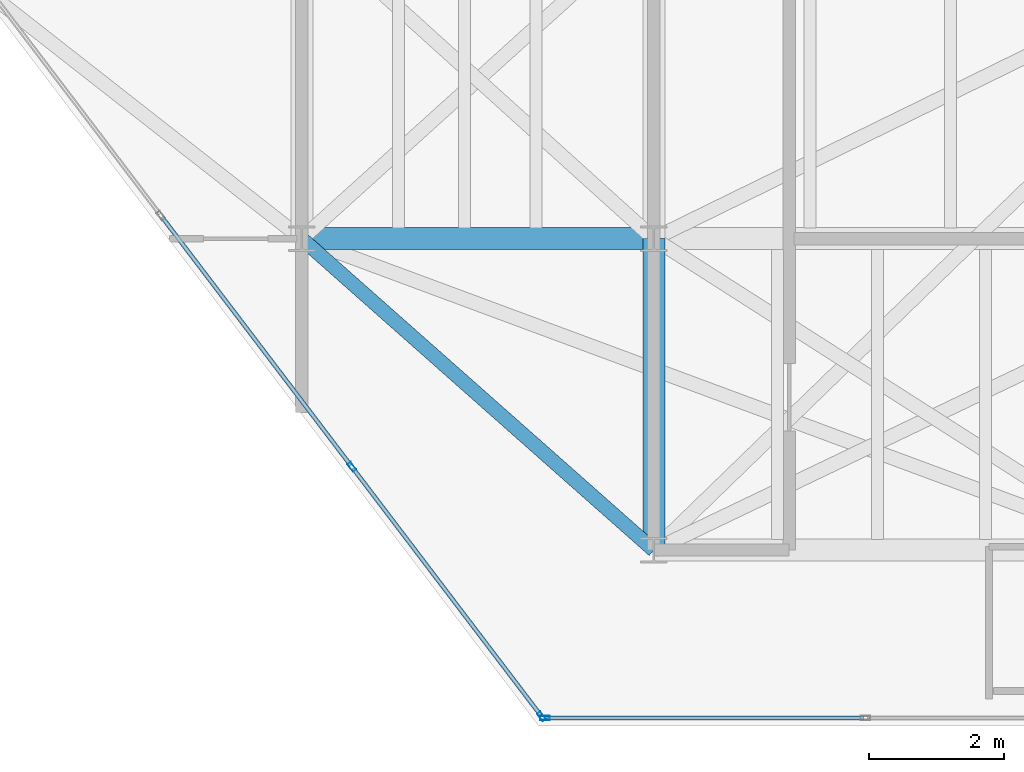
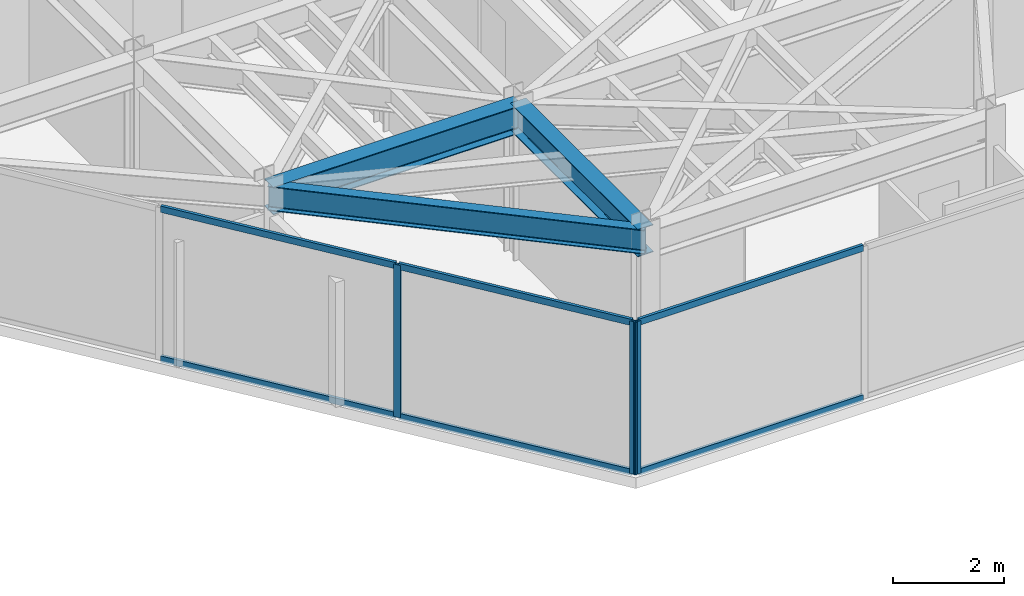
# One storey, part 7 of 16: 9 members, 3 beams, 2 elements without a shape of their own.
"""IFC4 building model written with IfcOpenShell, lengths in metres."""

from ifc_helpers import new_model, si_unit, direction, frame, origin, origin_2d, place, context, subcontext, project, spatial, hollow_rectangle, i_section, extrude, material, layer, layer_set, material_profile, profile_set, type_object, element, aggregate, save


model = new_model("IFC4")

# Units and contexts
model_context = context("Model", 3, precision=1e-05, world=origin(), true_north=direction((0.0, 1.0)))
body_context = subcontext(model_context, "Body", "Model", "MODEL_VIEW")
ifc_project = project(units=[si_unit("LENGTHUNIT", "METRE"), si_unit("AREAUNIT", "SQUARE_METRE"), si_unit("VOLUMEUNIT", "CUBIC_METRE"), si_unit("PLANEANGLEUNIT", "RADIAN"), si_unit("MASSUNIT", "GRAM", prefix="KILO")], contexts=[model_context])

# Site, building, storey
site_placement = place(None, origin())
site = spatial("IfcSite", under=ifc_project, at=site_placement, CompositionType="ELEMENT")
building_placement = place(site_placement, origin())
building = spatial("IfcBuilding", under=site, at=building_placement, Name="Kravanh Interchange Tower", CompositionType="ELEMENT")
storey_placement = place(building_placement, frame((0.0, 0.0, 300.300048828125)))
storey = spatial("IfcBuildingStorey", under=building, at=storey_placement, Name="L74", CompositionType="ELEMENT", Elevation=300.300048828125)

# Curtain wall, member
ifc_material_1 = material(Name="Anodised Bronze Aluminium", Category="aluminium")
ifc_layer = layer(ifc_material_1, 0.179931640625)
ifc_layer_set = layer_set([ifc_layer], Name="Unitised Curtain Wall System CW-HTL Luxury Hotel")
curtain_wall_type = type_object("IfcCurtainWallType", Name="Unitised Curtain Wall System CW-HTL Luxury Hotel", PredefinedType="NOTDEFINED", material=ifc_layer_set)
curtain_wall_1_placement = place(storey_placement, origin())
curtain_wall_1 = element("IfcCurtainWall", 1, at=curtain_wall_1_placement, inside=storey, type_object=curtain_wall_type, Name="L74 Unitised Curtain Wall CW-L74-03", PredefinedType="NOTDEFINED")
ifc_material_2 = material(Name="Anodised Bronze Aluminium", Category="aluminium")
ifc_material_profile_1 = material_profile(ifc_material_2, hollow_rectangle(XDim=0.06005859375, YDim=0.139892578125, WallThickness=0.00390625, at=origin_2d()), Name="ALU60X140X4")
ifc_profile_set_1 = profile_set([ifc_material_profile_1], Name="Anodised Bronze Aluminium")
member_type_1 = type_object("IfcMemberType", Name="Curtain Wall Mullion ALU60X140X4 Bronze", PredefinedType="MULLION", material=ifc_profile_set_1)
member_1_placement = place(storey_placement, frame((54.389404296875, 19.719970703125, 0.0), z_axis=(0.0, 0.0, 1.0), x_axis=(0.0, -1.0, 0.0)))
member_1 = element("IfcMember", 2, at=member_1_placement, type_object=member_type_1, Name="CW-HTL mullion 3", PredefinedType="MULLION", context=body_context, shape_type="SweptSolid", body=[
    extrude(hollow_rectangle(XDim=0.06005859375, YDim=0.139892578125, WallThickness=0.00390625, at=origin_2d()), origin(), (0.0, 0.0, 1.0), 3.364990234375),
])

# Curtain wall, members
curtain_wall_2_placement = place(storey_placement, origin())
curtain_wall_2 = element("IfcCurtainWall", 3, at=curtain_wall_2_placement, inside=storey, type_object=curtain_wall_type, Name="L74 Unitised Curtain Wall CW-L74-04", PredefinedType="NOTDEFINED")
member_2_placement = place(storey_placement, frame((54.34130859375, 19.743896484375, 0.0), z_axis=(0.0, 0.0, 1.0), x_axis=(-0.796161642797, -0.605083992962, 0.0)))
member_2 = element("IfcMember", 4, at=member_2_placement, type_object=member_type_1, Name="CW-HTL mullion 1", PredefinedType="MULLION", context=body_context, shape_type="SweptSolid", body=[
    extrude(hollow_rectangle(XDim=0.06005859375, YDim=0.139892578125, WallThickness=0.00390625, at=origin_2d()), origin(), (0.0, 0.0, 1.0), 3.364990234375),
])
member_3_placement = place(storey_placement, frame((51.53955078125, 23.430419921875, 0.0), z_axis=(0.0, 0.0, 1.0), x_axis=(-0.796161642797, -0.605083992962, 0.0)))
member_3 = element("IfcMember", 5, at=member_3_placement, type_object=member_type_1, Name="CW-HTL mullion 2", PredefinedType="MULLION", context=body_context, shape_type="SweptSolid", body=[
    extrude(hollow_rectangle(XDim=0.06005859375, YDim=0.139892578125, WallThickness=0.00390625, at=origin_2d()), origin(), (0.0, 0.0, 1.0), 3.364990234375),
])

# Member
ifc_material_3 = material(Name="Anodised Bronze Aluminium", Category="aluminium")
ifc_material_profile_2 = material_profile(ifc_material_3, hollow_rectangle(XDim=0.06005859375, YDim=0.139892578125, WallThickness=0.00390625, at=origin_2d()), Name="ALU60X140X4")
ifc_profile_set_2 = profile_set([ifc_material_profile_2], Name="Anodised Bronze Aluminium")
member_type_2 = type_object("IfcMemberType", Name="Curtain Wall Transom ALU60X140X4 Bronze", PredefinedType="USERDEFINED", material=ifc_profile_set_2)
member_4_placement = place(storey_placement, frame((59.096435546875, 19.719970703125, 0.030029296875), z_axis=(-1.0, 0.0, 0.0), x_axis=(0.0, -1.0, 0.0)))
member_4 = element("IfcMember", 6, at=member_4_placement, type_object=member_type_2, Name="CW-HTL transom 2.1", ObjectType="TRANSOM", PredefinedType="USERDEFINED", context=body_context, shape_type="SweptSolid", body=[
    extrude(hollow_rectangle(XDim=0.06005859375, YDim=0.139892578125, WallThickness=0.00390625, at=origin_2d()), origin(), (0.0, 0.0, 1.0), 4.677001953125),
])

member_5_placement = place(storey_placement, frame((59.096435546875, 19.719970703125, 3.3349609375), z_axis=(-1.0, 0.0, 0.0), x_axis=(0.0, -1.0, 0.0)))
member_5 = element("IfcMember", 7, at=member_5_placement, type_object=member_type_2, Name="CW-HTL transom 2.2", ObjectType="TRANSOM", PredefinedType="USERDEFINED", context=body_context, shape_type="SweptSolid", body=[
    extrude(hollow_rectangle(XDim=0.06005859375, YDim=0.139892578125, WallThickness=0.00390625, at=origin_2d()), origin(), (0.0, 0.0, 1.0), 4.677001953125),
])

aggregate(curtain_wall_1, [member_1, member_4, member_5])

member_6_placement = place(storey_placement, frame((54.3232421875, 19.767822265625, 0.030029296875), z_axis=(-0.605081913085, 0.796163223502, 0.0), x_axis=(-0.796163223502, -0.605081913085, 0.0)))
member_6 = element("IfcMember", 8, at=member_6_placement, type_object=member_type_2, Name="CW-HTL transom 1.1", ObjectType="TRANSOM", PredefinedType="USERDEFINED", context=body_context, shape_type="SweptSolid", body=[
    extrude(hollow_rectangle(XDim=0.06005859375, YDim=0.139892578125, WallThickness=0.00390625, at=origin_2d()), origin(), (0.0, 0.0, 1.0), 4.5703125),
])

member_7_placement = place(storey_placement, frame((54.3232421875, 19.767822265625, 3.3349609375), z_axis=(-0.605081913085, 0.796163223502, 0.0), x_axis=(-0.796163223502, -0.605081913085, 0.0)))
member_7 = element("IfcMember", 9, at=member_7_placement, type_object=member_type_2, Name="CW-HTL transom 1.2", ObjectType="TRANSOM", PredefinedType="USERDEFINED", context=body_context, shape_type="SweptSolid", body=[
    extrude(hollow_rectangle(XDim=0.06005859375, YDim=0.139892578125, WallThickness=0.00390625, at=origin_2d()), origin(), (0.0, 0.0, 1.0), 4.5703125),
])

member_8_placement = place(storey_placement, frame((51.521484375, 23.4541015625, 0.030029296875), z_axis=(-0.605065774315, 0.796175488666, 0.0), x_axis=(-0.796175488666, -0.605065774315, 0.0)))
member_8 = element("IfcMember", 10, at=member_8_placement, type_object=member_type_2, Name="CW-HTL transom 2.1", ObjectType="TRANSOM", PredefinedType="USERDEFINED", context=body_context, shape_type="SweptSolid", body=[
    extrude(hollow_rectangle(XDim=0.06005859375, YDim=0.139892578125, WallThickness=0.00390625, at=origin_2d()), origin(), (0.0, 0.0, 1.0), 4.600341796875),
])

member_9_placement = place(storey_placement, frame((51.521484375, 23.4541015625, 3.3349609375), z_axis=(-0.605065774315, 0.796175488666, 0.0), x_axis=(-0.796175488666, -0.605065774315, 0.0)))
member_9 = element("IfcMember", 11, at=member_9_placement, type_object=member_type_2, Name="CW-HTL transom 2.2", ObjectType="TRANSOM", PredefinedType="USERDEFINED", context=body_context, shape_type="SweptSolid", body=[
    extrude(hollow_rectangle(XDim=0.06005859375, YDim=0.139892578125, WallThickness=0.00390625, at=origin_2d()), origin(), (0.0, 0.0, 1.0), 4.600341796875),
])

aggregate(curtain_wall_2, [member_2, member_3, member_6, member_7, member_8, member_9])

# Beams
ifc_material_4 = material(Name="Structural Steel S355", Category="steel")
ifc_material_profile_3 = material_profile(ifc_material_4, i_section(OverallWidth=0.323974609375, OverallDepth=0.611083984375, WebThickness=0.0126953125, FlangeThickness=0.01904296875, FilletRadius=0.02197265625, at=origin_2d()), Name="W24X104")
ifc_profile_set_3 = profile_set([ifc_material_profile_3], Name="Structural Steel S355")
beam_type_1 = type_object("IfcBeamType", Name="Floor Beam W24X104 Structural Steel S355", PredefinedType="BEAM", material=ifc_profile_set_3)
beam_1_placement = place(storey_placement, frame((50.800048828125, 26.800048828125, 3.0595703125), z_axis=(1.0, 0.0, 0.0), x_axis=(0.0, 1.0, 0.0)))
element("IfcBeam", 12, at=beam_1_placement, inside=storey, type_object=beam_type_1, Name="L74 Primary Floor Girder 19", PredefinedType="BEAM", context=body_context, shape_type="SweptSolid", body=[
    extrude(i_section(OverallWidth=0.323974609375, OverallDepth=0.611083984375, WebThickness=0.0126953125, FlangeThickness=0.01904296875, FilletRadius=0.02197265625, at=origin_2d()), origin(), (0.0, 0.0, 1.0), 5.199951171875),
])
beam_2_placement = place(storey_placement, frame((56.0, 26.800048828125, 3.0595703125), z_axis=(0.0, -1.0, 0.0), x_axis=(1.0, 0.0, 0.0)))
element("IfcBeam", 13, at=beam_2_placement, inside=storey, type_object=beam_type_1, Name="L74 Primary Floor Girder 22", PredefinedType="BEAM", context=body_context, shape_type="SweptSolid", body=[
    extrude(i_section(OverallWidth=0.323974609375, OverallDepth=0.611083984375, WebThickness=0.0126953125, FlangeThickness=0.01904296875, FilletRadius=0.02197265625, at=origin_2d()), origin(), (0.0, 0.0, 1.0), 4.60009765625),
])
ifc_material_5 = material(Name="Structural Steel S355", Category="steel")
ifc_material_profile_4 = material_profile(ifc_material_5, i_section(OverallWidth=0.2099609375, OverallDepth=0.537109375, WebThickness=0.010986328125, FlangeThickness=0.017333984375, FilletRadius=0.02001953125, at=origin_2d()), Name="W21X68")
ifc_profile_set_4 = profile_set([ifc_material_profile_4], Name="Structural Steel S355")
beam_type_2 = type_object("IfcBeamType", Name="Floor Spandrel W21X68 Structural Steel S355", PredefinedType="SPANDREL", material=ifc_profile_set_4)
beam_3_placement = place(storey_placement, frame((50.800048828125, 26.800048828125, 3.096435546875), z_axis=(0.74898649432, -0.662585263439, 0.0), x_axis=(0.662585263439, 0.74898649432, 0.0)))
element("IfcBeam", 14, at=beam_3_placement, inside=storey, type_object=beam_type_2, Name="L74 Perimeter Spandrel 20", PredefinedType="SPANDREL", context=body_context, shape_type="SweptSolid", body=[
    extrude(i_section(OverallWidth=0.2099609375, OverallDepth=0.537109375, WebThickness=0.010986328125, FlangeThickness=0.017333984375, FilletRadius=0.02001953125, at=origin_2d()), origin(), (0.0, 0.0, 1.0), 6.942626953125),
])

save(model, "model.ifc")
